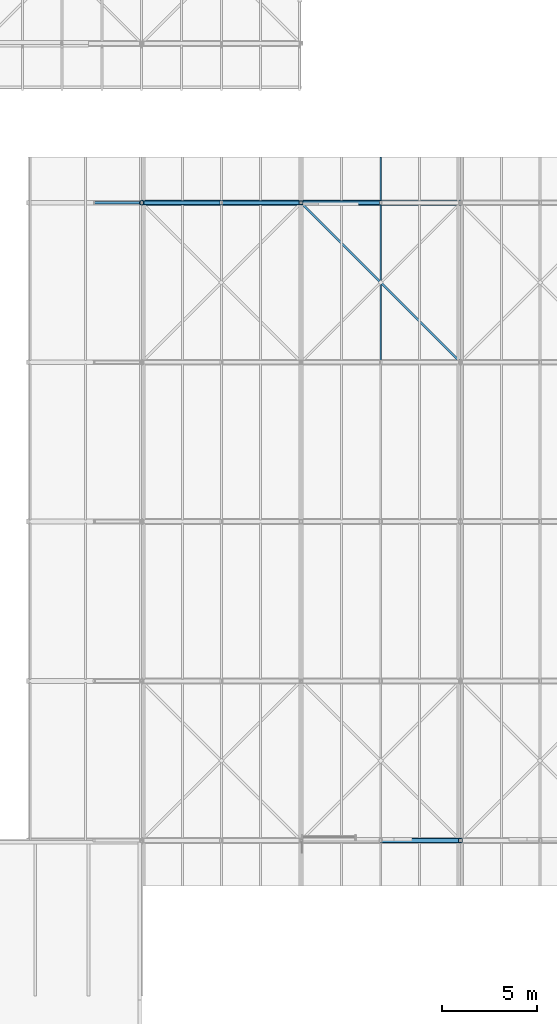
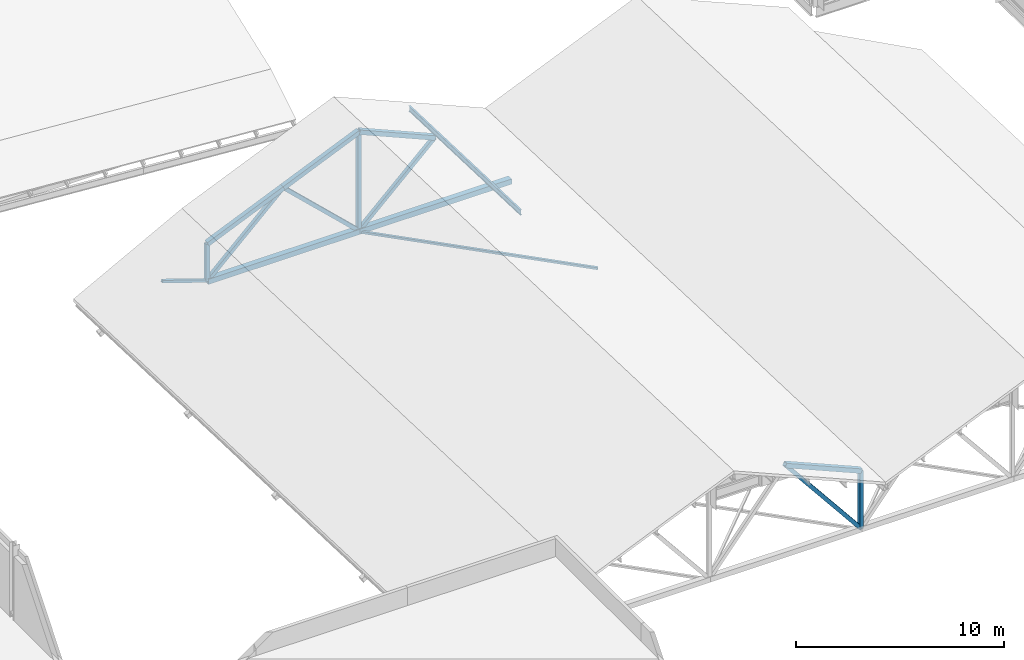
# One storey, part 12 of 76: 9 members, 7 beams.
"""IFC4 building model written with IfcOpenShell, lengths in metres."""

from ifc_helpers import new_model, si_unit, direction, frame, origin, origin_2d, place, context, subcontext, project, spatial, hollow_rectangle, i_section, extrude, material, material_profile, profile_set, type_object, element, save


model = new_model("IFC4")

# Units and contexts
model_context = context("Model", 3, precision=1e-05, world=origin(), true_north=direction((0.0, 1.0)))
body_context = subcontext(model_context, "Body", "Model", "MODEL_VIEW")
ifc_project = project(units=[si_unit("LENGTHUNIT", "METRE"), si_unit("AREAUNIT", "SQUARE_METRE"), si_unit("VOLUMEUNIT", "CUBIC_METRE"), si_unit("PLANEANGLEUNIT", "RADIAN"), si_unit("MASSUNIT", "GRAM", prefix="KILO")], contexts=[model_context])

# Site, building, storey
site_placement = place(None, origin())
site = spatial("IfcSite", under=ifc_project, at=site_placement, CompositionType="ELEMENT")
building_placement = place(site_placement, origin())
building = spatial("IfcBuilding", under=site, at=building_placement, Name="Hlaing Beacon Police Headquarters", CompositionType="ELEMENT")
storey_placement = place(building_placement, frame((0.0, 0.0, 18.89990234375)))
storey = spatial("IfcBuildingStorey", under=building, at=storey_placement, Name="L04", CompositionType="ELEMENT", Elevation=18.89990234375)

# Members
ifc_material_1 = material(Name="Steel ASTM A500 Grade C", Category="steel")
ifc_material_profile_1 = material_profile(ifc_material_1, hollow_rectangle(XDim=0.15234375, YDim=0.15234375, WallThickness=0.0126953125, at=origin_2d()), Name="HSS6x6x1/2")
ifc_profile_set_1 = profile_set([ifc_material_profile_1], Name="Steel ASTM A500 Grade C")
member_type_1 = type_object("IfcMemberType", Name="Eave strut HSS6x6x1/2", PredefinedType="BRACE", material=ifc_profile_set_1)
member_1_placement = place(storey_placement, frame((58.800048828125, 67.199951171875, -4.347412109375), z_axis=(-0.947940118274, 0.0, 0.318448633483), x_axis=(0.0, -1.0, 0.0)))
element("IfcMember", 1, at=member_1_placement, inside=storey, type_object=member_type_1, Name="STR-RT-V1-T5-ST01", PredefinedType="BRACE", context=body_context, shape_type="SweptSolid", body=[
    extrude(hollow_rectangle(XDim=0.15234375, YDim=0.15234375, WallThickness=0.0126953125, at=origin_2d()), origin(), (0.0, 0.0, 1.0), 2.63720703125),
])
ifc_material_2 = material(Name="Steel ASTM A500 Grade C", Category="steel")
ifc_material_profile_2 = material_profile(ifc_material_2, hollow_rectangle(XDim=0.126953125, YDim=0.126953125, WallThickness=0.009521484375, at=origin_2d()), Name="HSS5x5x3/8")
ifc_profile_set_2 = profile_set([ifc_material_profile_2], Name="Steel ASTM A500 Grade C")
member_type_2 = type_object("IfcMemberType", Name="Roof plan brace HSS5x5x3/8", PredefinedType="BRACE", material=ifc_profile_set_2)
member_2_placement = place(storey_placement, frame((67.199951171875, 67.199951171875, -4.4208984375), z_axis=(0.707117056885, -0.707096505339, 0.0), x_axis=(0.707096505339, 0.707117056885, 0.0)))
element("IfcMember", 2, at=member_2_placement, inside=storey, type_object=member_type_2, Name="STR-RT-V1-WB12", PredefinedType="BRACE", context=body_context, shape_type="SweptSolid", body=[
    extrude(hollow_rectangle(XDim=0.126953125, YDim=0.126953125, WallThickness=0.009521484375, at=origin_2d()), origin(), (0.0, 0.0, 1.0), 11.87939453125),
])

# Beams
ifc_material_3 = material(Name="Steel ASTM A992 Grade 50", Category="steel")
ifc_material_profile_3 = material_profile(ifc_material_3, i_section(OverallWidth=0.102294921875, OverallDepth=0.3125, WebThickness=0.006591796875, FlangeThickness=0.0107421875, FilletRadius=0.007568359375, at=origin_2d()), Name="W12x22")
ifc_profile_set_3 = profile_set([ifc_material_profile_3], Name="Steel ASTM A992 Grade 50")
beam_type_1 = type_object("IfcBeamType", Name="Roof purlin W12x22", PredefinedType="BEAM", material=ifc_profile_set_3)
beam_1_placement = place(storey_placement, frame((71.39990234375, 58.890625, 0.2548828125), z_axis=(0.0, 0.999362564096, -0.035699656635), x_axis=(-1.0, 0.0, 0.0)))
element("IfcBeam", 3, at=beam_1_placement, inside=storey, type_object=beam_type_1, Name="STR-RT-V1-PR-R3-03-4", PredefinedType="BEAM", context=body_context, shape_type="SweptSolid", body=[
    extrude(i_section(OverallWidth=0.102294921875, OverallDepth=0.3125, WebThickness=0.006591796875, FlangeThickness=0.0107421875, FilletRadius=0.007568359375, at=origin_2d()), origin(), (0.0, 0.0, 1.0), 10.71630859375),
])
ifc_material_4 = material(Name="Steel ASTM A500 Grade C", Category="steel")
ifc_material_profile_4 = material_profile(ifc_material_4, hollow_rectangle(XDim=0.3046875, YDim=0.3046875, WallThickness=0.015869140625, at=origin_2d()), Name="HSS12x12x5/8")
ifc_profile_set_4 = profile_set([ifc_material_profile_4], Name="Steel ASTM A500 Grade C")
beam_type_2 = type_object("IfcBeamType", Name="Truss bottom chord HSS12x12x5/8", PredefinedType="BEAM", material=ifc_profile_set_4)
beam_2_placement = place(storey_placement, frame((58.800048828125, 67.199951171875, -4.347412109375), z_axis=(1.0, 0.0, 0.0), x_axis=(0.0, 1.0, 0.0)))
element("IfcBeam", 4, at=beam_2_placement, inside=storey, type_object=beam_type_2, Name="STR-RT-V1-T5-BC01", PredefinedType="BEAM", context=body_context, shape_type="SweptSolid", body=[
    extrude(hollow_rectangle(XDim=0.3046875, YDim=0.3046875, WallThickness=0.015869140625, at=origin_2d()), origin(), (0.0, 0.0, 1.0), 8.39990234375),
])
beam_3_placement = place(storey_placement, frame((67.199951171875, 67.199951171875, -4.347412109375), z_axis=(1.0, 0.0, 0.0), x_axis=(0.0, 1.0, 0.0)))
element("IfcBeam", 5, at=beam_3_placement, inside=storey, type_object=beam_type_2, Name="STR-RT-V1-T5-BC02", PredefinedType="BEAM", context=body_context, shape_type="SweptSolid", body=[
    extrude(hollow_rectangle(XDim=0.3046875, YDim=0.3046875, WallThickness=0.015869140625, at=origin_2d()), origin(), (0.0, 0.0, 1.0), 8.400146484375),
])

# Members
ifc_material_5 = material(Name="Steel ASTM A500 Grade C", Category="steel")
ifc_material_profile_5 = material_profile(ifc_material_5, hollow_rectangle(XDim=0.203125, YDim=0.203125, WallThickness=0.015869140625, at=origin_2d()), Name="HSS8x8x5/8")
ifc_profile_set_5 = profile_set([ifc_material_profile_5], Name="Steel ASTM A500 Grade C")
member_type_3 = type_object("IfcMemberType", Name="Truss post HSS8x8x5/8", PredefinedType="POST", material=ifc_profile_set_5)
member_3_placement = place(storey_placement, frame((75.60009765625, 33.60009765625, -4.347412109375), z_axis=(0.0, 0.0, 1.0), x_axis=(1.0, 0.0, 0.0)))
element("IfcMember", 6, at=member_3_placement, inside=storey, type_object=member_type_3, Name="STR-RT-V1-T1-PS03", PredefinedType="POST", context=body_context, shape_type="SweptSolid", body=[
    extrude(hollow_rectangle(XDim=0.203125, YDim=0.203125, WallThickness=0.015869140625, at=origin_2d()), origin(), (0.0, 0.0, 1.0), 3.389892578125),
])
member_4_placement = place(storey_placement, frame((58.800048828125, 67.199951171875, -4.347412109375), z_axis=(0.0, 0.0, 1.0), x_axis=(1.0, 0.0, 0.0)))
element("IfcMember", 7, at=member_4_placement, inside=storey, type_object=member_type_3, Name="STR-RT-V1-T5-PS01", PredefinedType="POST", context=body_context, shape_type="SweptSolid", body=[
    extrude(hollow_rectangle(XDim=0.203125, YDim=0.203125, WallThickness=0.015869140625, at=origin_2d()), origin(), (0.0, 0.0, 1.0), 2.17822265625),
])
member_5_placement = place(storey_placement, frame((67.199951171875, 67.199951171875, -4.347412109375), z_axis=(0.0, 0.0, 1.0), x_axis=(1.0, 0.0, 0.0)))
element("IfcMember", 8, at=member_5_placement, inside=storey, type_object=member_type_3, Name="STR-RT-V1-T5-PS02", PredefinedType="POST", context=body_context, shape_type="SweptSolid", body=[
    extrude(hollow_rectangle(XDim=0.203125, YDim=0.203125, WallThickness=0.015869140625, at=origin_2d()), origin(), (0.0, 0.0, 1.0), 5.8017578125),
])

# Beams
ifc_material_6 = material(Name="Steel ASTM A500 Grade C", Category="steel")
ifc_material_profile_6 = material_profile(ifc_material_6, hollow_rectangle(XDim=0.25390625, YDim=0.25390625, WallThickness=0.015869140625, at=origin_2d()), Name="HSS10x10x5/8")
ifc_profile_set_6 = profile_set([ifc_material_profile_6], Name="Steel ASTM A500 Grade C")
beam_type_3 = type_object("IfcBeamType", Name="Truss top chord HSS10x10x5/8", PredefinedType="BEAM", material=ifc_profile_set_6)
beam_4_placement = place(storey_placement, frame((71.39990234375, 33.60009765625, 0.84228515625), z_axis=(0.919167136512, 0.0, -0.393867712762), x_axis=(0.0, 1.0, 0.0)))
element("IfcBeam", 9, at=beam_4_placement, inside=storey, type_object=beam_type_3, Name="STR-RT-V1-T1-TC05", PredefinedType="BEAM", context=body_context, shape_type="SweptSolid", body=[
    extrude(hollow_rectangle(XDim=0.25390625, YDim=0.25390625, WallThickness=0.015869140625, at=origin_2d()), origin(), (0.0, 0.0, 1.0), 4.569580078125),
])
beam_5_placement = place(storey_placement, frame((58.800048828125, 67.199951171875, -2.169189453125), z_axis=(0.918228721405, 0.0, 0.396050521004), x_axis=(0.0, 1.0, 0.0)))
element("IfcBeam", 10, at=beam_5_placement, inside=storey, type_object=beam_type_3, Name="STR-RT-V1-T5-TC02", PredefinedType="BEAM", context=body_context, shape_type="SweptSolid", body=[
    extrude(hollow_rectangle(XDim=0.25390625, YDim=0.25390625, WallThickness=0.015869140625, at=origin_2d()), origin(), (0.0, 0.0, 1.0), 4.573974609375),
])
for number, where, z_axis, x_axis, name in (
    (11, (63.0, 67.199951171875, -0.357666015625), (0.918189896614, 0.0, 0.396140522739), (0.0, 1.0, 0.0), "STR-RT-V1-T5-TC03"),
    (12, (67.199951171875, 67.199951171875, 1.454345703125), (0.918189896614, 0.0, -0.396140522739), (0.0, 1.0, 0.0), "STR-RT-V1-T5-TC04"),
):
    element("IfcBeam", number, at=place(storey_placement, frame(where, z_axis=z_axis, x_axis=x_axis)), inside=storey, type_object=beam_type_3, Name=name, PredefinedType="BEAM", context=body_context, shape_type="SweptSolid", body=[
        extrude(hollow_rectangle(XDim=0.25390625, YDim=0.25390625, WallThickness=0.015869140625, at=origin_2d()), origin(), (0.0, 0.0, 1.0), 4.57421875),
    ])

# Members
ifc_material_7 = material(Name="Steel ASTM A500 Grade C", Category="steel")
ifc_material_profile_7 = material_profile(ifc_material_7, hollow_rectangle(XDim=0.203125, YDim=0.203125, WallThickness=0.0126953125, at=origin_2d()), Name="HSS8x8x1/2")
ifc_profile_set_7 = profile_set([ifc_material_profile_7], Name="Steel ASTM A500 Grade C")
member_type_4 = type_object("IfcMemberType", Name="Truss web HSS8x8x1/2", PredefinedType="BRACE", material=ifc_profile_set_7)
member_6_placement = place(storey_placement, frame((71.39990234375, 33.60009765625, 0.84228515625), z_axis=(0.629108809234, 0.0, -0.777317249354), x_axis=(0.0, 1.0, 0.0)))
element("IfcMember", 13, at=member_6_placement, inside=storey, type_object=member_type_4, Name="STR-RT-V1-T1-DG04", PredefinedType="BRACE", context=body_context, shape_type="SweptSolid", body=[
    extrude(hollow_rectangle(XDim=0.203125, YDim=0.203125, WallThickness=0.0126953125, at=origin_2d()), origin(), (0.0, 0.0, 1.0), 6.676513671875),
])
for number, where, z_axis, x_axis, name in (
    (14, (58.800048828125, 67.199951171875, -4.347412109375), (0.725017321361, 0.0, 0.688730632197), (0.0, 1.0, 0.0), "STR-RT-V1-T5-DG01"),
    (15, (63.0, 67.199951171875, -0.357666015625), (0.725017321361, 0.0, -0.688730632197), (0.0, 1.0, 0.0), "STR-RT-V1-T5-DG02"),
    (16, (67.199951171875, 67.199951171875, -4.347412109375), (0.725017321361, 0.0, 0.688730632197), (0.0, 1.0, 0.0), "STR-RT-V1-T5-DG03"),
):
    element("IfcMember", number, at=place(storey_placement, frame(where, z_axis=z_axis, x_axis=x_axis)), inside=storey, type_object=member_type_4, Name=name, PredefinedType="BRACE", context=body_context, shape_type="SweptSolid", body=[
        extrude(hollow_rectangle(XDim=0.203125, YDim=0.203125, WallThickness=0.0126953125, at=origin_2d()), origin(), (0.0, 0.0, 1.0), 5.79296875),
    ])

save(model, "model.ifc")
